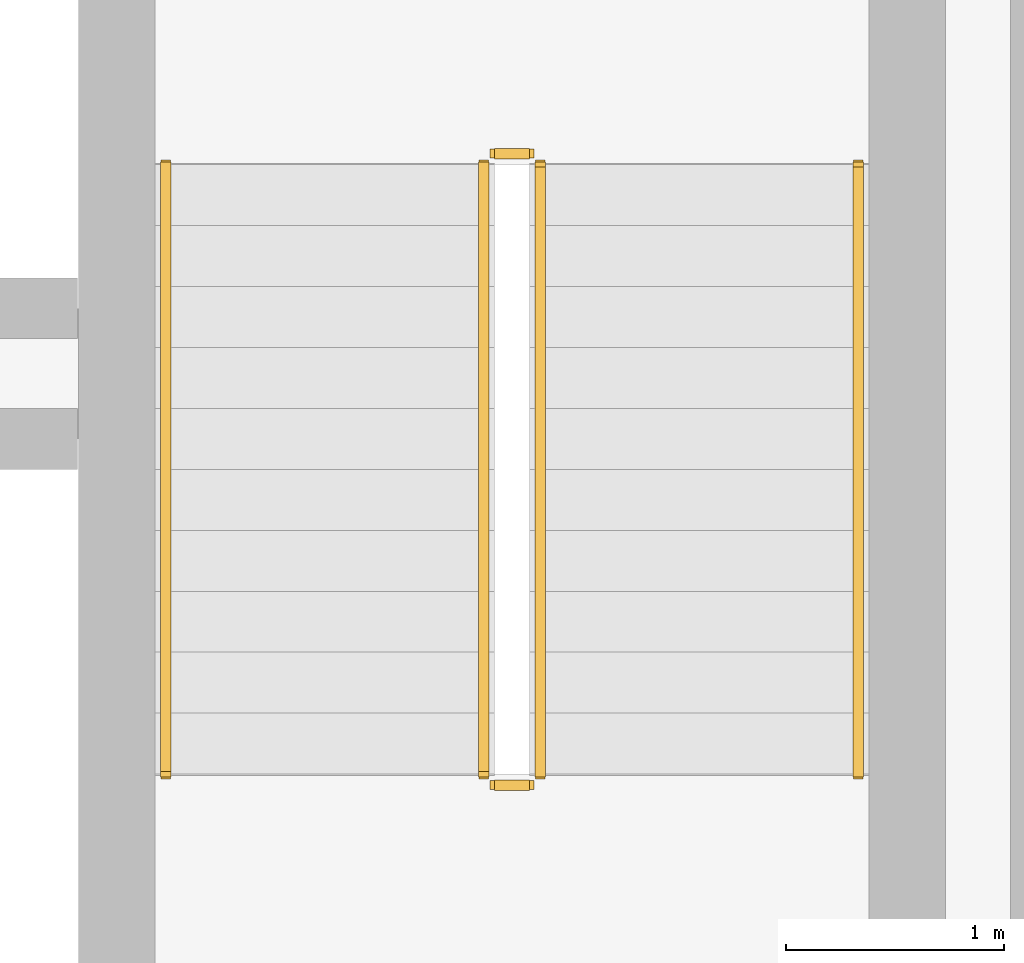
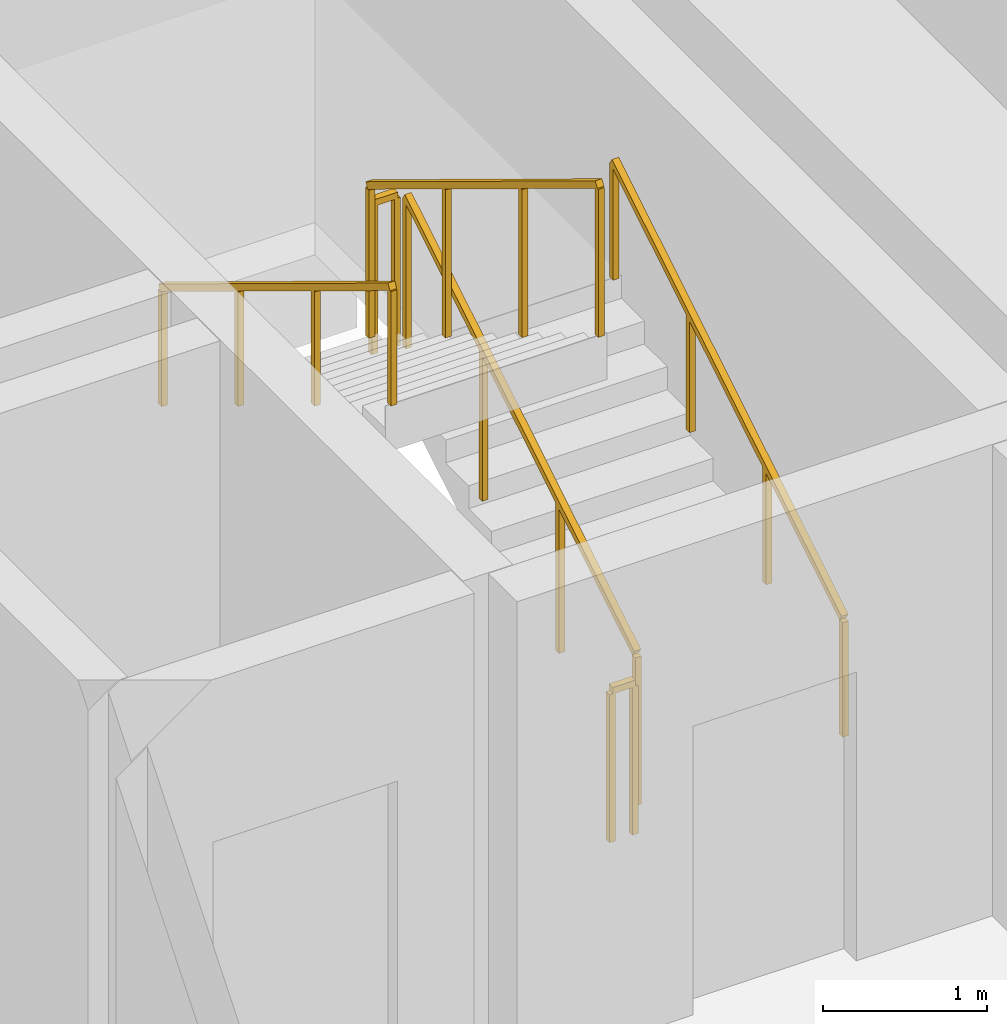
# One storey, part 15 of 15: 6 railings.
"""IFC4 building model written with IfcOpenShell, lengths in metres."""

from ifc_helpers import new_model, si_unit, direction, frame, origin, origin_2d, place, context, subcontext, project, spatial, rectangle, extrude, material, type_object, element, save


model = new_model("IFC4")

# Units and contexts
model_context = context("Model", 3, precision=1e-05, world=origin(), true_north=direction((0.0, 1.0)))
body_context = subcontext(model_context, "Body", "Model", "MODEL_VIEW")
ifc_project = project(units=[si_unit("LENGTHUNIT", "METRE"), si_unit("AREAUNIT", "SQUARE_METRE"), si_unit("VOLUMEUNIT", "CUBIC_METRE"), si_unit("PLANEANGLEUNIT", "RADIAN"), si_unit("MASSUNIT", "GRAM", prefix="KILO")], contexts=[model_context])

# Site, building, storey
site_placement = place(None, origin())
site = spatial("IfcSite", under=ifc_project, at=site_placement, CompositionType="ELEMENT")
building_placement = place(site_placement, origin())
building = spatial("IfcBuilding", under=site, at=building_placement, Name="Kaelvorn Grand Hotel", CompositionType="ELEMENT")
storey_placement = place(building_placement, frame((0.0, 0.0, 50.14990234375)))
storey = spatial("IfcBuildingStorey", under=building, at=storey_placement, Name="L10", CompositionType="ELEMENT", Elevation=50.14990234375)

# Railings
ifc_material = material(Name="Stainless Steel", Category="steel")
railing_type_1 = type_object("IfcRailingType", Name="RL-HANDRAIL-900", PredefinedType="HANDRAIL", material=ifc_material)
railing_1_placement = place(storey_placement, frame((66.550048828125, 41.760009765625, 0.170654296875)))
element("IfcRailing", 1, at=railing_1_placement, inside=storey, type_object=railing_type_1, Name="L10 ST3 stair handrail 1", PredefinedType="HANDRAIL", context=body_context, shape_type="SweptSolid", body=[
    extrude(rectangle(XDim=0.048095703125, YDim=0.048095703125, at=origin_2d()), frame((0.0, 0.0, 0.8759765625), z_axis=(0.0, 0.854202870247, 0.519939858505), x_axis=(-1.0, 0.0, 0.0)), (0.0, 0.0, 1.0), 3.278076171875),
    extrude(rectangle(XDim=0.0419921875, YDim=0.0419921875, at=origin_2d()), origin(), (0.0, 0.0, 1.0), 0.851806640625),
    extrude(rectangle(XDim=0.0419921875, YDim=0.0419921875, at=origin_2d()), frame((0.0, 0.933349609375, 0.568115234375)), (0.0, 0.0, 1.0), 0.851806640625),
    extrude(rectangle(XDim=0.0419921875, YDim=0.0419921875, at=origin_2d()), frame((0.0, 1.86669921875, 1.13623046875)), (0.0, 0.0, 1.0), 0.851806640625),
    extrude(rectangle(XDim=0.0419921875, YDim=0.0419921875, at=origin_2d()), frame((0.0, 2.800048828125, 1.704345703125)), (0.0, 0.0, 1.0), 0.851806640625),
])
railing_2_placement = place(storey_placement, frame((63.3701171875, 44.56005859375, 2.045654296875)))
element("IfcRailing", 2, at=railing_2_placement, inside=storey, type_object=railing_type_1, Name="L10 ST3 stair handrail 2", PredefinedType="HANDRAIL", context=body_context, shape_type="SweptSolid", body=[
    extrude(rectangle(XDim=0.048095703125, YDim=0.048095703125, at=origin_2d()), frame((0.0, 0.0, 0.8759765625), z_axis=(0.0, -0.854202870247, 0.519939858505), x_axis=(1.0, 0.0, 0.0)), (0.0, 0.0, 1.0), 3.278076171875),
    extrude(rectangle(XDim=0.0419921875, YDim=0.0419921875, at=origin_2d()), origin(), (0.0, 0.0, 1.0), 0.851806640625),
    extrude(rectangle(XDim=0.0419921875, YDim=0.0419921875, at=origin_2d()), frame((0.0, -0.933349609375, 0.568115234375)), (0.0, 0.0, 1.0), 0.851806640625),
    extrude(rectangle(XDim=0.0419921875, YDim=0.0419921875, at=origin_2d()), frame((0.0, -1.86669921875, 1.13623046875)), (0.0, 0.0, 1.0), 0.851806640625),
    extrude(rectangle(XDim=0.0419921875, YDim=0.0419921875, at=origin_2d()), frame((0.0, -2.800048828125, 1.704345703125)), (0.0, 0.0, 1.0), 0.851806640625),
])
railing_type_2 = type_object("IfcRailingType", Name="RL-STAIR-GUARD-1150", PredefinedType="BALUSTRADE", material=ifc_material)
railing_3_placement = place(storey_placement, frame((65.090087890625, 41.760009765625, 0.170654296875)))
element("IfcRailing", 3, at=railing_3_placement, inside=storey, type_object=railing_type_2, Name="L10 ST3 stair guard 1", PredefinedType="BALUSTRADE", context=body_context, shape_type="SweptSolid", body=[
    extrude(rectangle(XDim=0.048095703125, YDim=0.048095703125, at=origin_2d()), frame((0.0, 0.0, 1.1259765625), z_axis=(0.0, 0.854202870247, 0.519939858505), x_axis=(-1.0, 0.0, 0.0)), (0.0, 0.0, 1.0), 3.278076171875),
    extrude(rectangle(XDim=0.0419921875, YDim=0.0419921875, at=origin_2d()), origin(), (0.0, 0.0, 1.0), 1.101806640625),
    extrude(rectangle(XDim=0.0419921875, YDim=0.0419921875, at=origin_2d()), frame((0.0, 0.933349609375, 0.568115234375)), (0.0, 0.0, 1.0), 1.101806640625),
    extrude(rectangle(XDim=0.0419921875, YDim=0.0419921875, at=origin_2d()), frame((0.0, 1.86669921875, 1.13623046875)), (0.0, 0.0, 1.0), 1.101806640625),
    extrude(rectangle(XDim=0.0419921875, YDim=0.0419921875, at=origin_2d()), frame((0.0, 2.800048828125, 1.704345703125)), (0.0, 0.0, 1.0), 1.101806640625),
])
railing_4_placement = place(storey_placement, frame((65.0400390625, 44.610107421875, 1.875)))
element("IfcRailing", 4, at=railing_4_placement, inside=storey, type_object=railing_type_2, Name="L10 ST3 stair guard 2", PredefinedType="BALUSTRADE", context=body_context, shape_type="SweptSolid", body=[
    extrude(rectangle(XDim=0.048095703125, YDim=0.048095703125, at=origin_2d()), frame((0.0, 0.0, 1.1259765625), z_axis=(-1.0, 0.0, 0.0), x_axis=(0.0, -1.0, 0.0)), (0.0, 0.0, 1.0), 0.16015625),
    extrude(rectangle(XDim=0.0419921875, YDim=0.0419921875, at=origin_2d()), origin(), (0.0, 0.0, 1.0), 1.101806640625),
    extrude(rectangle(XDim=0.0419921875, YDim=0.0419921875, at=origin_2d()), frame((-0.16015625, 0.0, 0.0)), (0.0, 0.0, 1.0), 1.101806640625),
])
railing_5_placement = place(storey_placement, frame((64.830078125, 44.56005859375, 2.045654296875)))
element("IfcRailing", 5, at=railing_5_placement, inside=storey, type_object=railing_type_2, Name="L10 ST3 stair guard 3", PredefinedType="BALUSTRADE", context=body_context, shape_type="SweptSolid", body=[
    extrude(rectangle(XDim=0.048095703125, YDim=0.048095703125, at=origin_2d()), frame((0.0, 0.0, 1.1259765625), z_axis=(0.0, -0.854202870247, 0.519939858505), x_axis=(1.0, 0.0, 0.0)), (0.0, 0.0, 1.0), 3.278076171875),
    extrude(rectangle(XDim=0.0419921875, YDim=0.0419921875, at=origin_2d()), origin(), (0.0, 0.0, 1.0), 1.101806640625),
    extrude(rectangle(XDim=0.0419921875, YDim=0.0419921875, at=origin_2d()), frame((0.0, -0.933349609375, 0.568115234375)), (0.0, 0.0, 1.0), 1.101806640625),
    extrude(rectangle(XDim=0.0419921875, YDim=0.0419921875, at=origin_2d()), frame((0.0, -1.86669921875, 1.13623046875)), (0.0, 0.0, 1.0), 1.101806640625),
    extrude(rectangle(XDim=0.0419921875, YDim=0.0419921875, at=origin_2d()), frame((0.0, -2.800048828125, 1.704345703125)), (0.0, 0.0, 1.0), 1.101806640625),
])
railing_6_placement = place(storey_placement, frame((65.0400390625, 41.7099609375, 0.0)))
element("IfcRailing", 6, at=railing_6_placement, inside=storey, type_object=railing_type_2, Name="L10 ST3 stair guard 4", PredefinedType="BALUSTRADE", context=body_context, shape_type="SweptSolid", body=[
    extrude(rectangle(XDim=0.048095703125, YDim=0.048095703125, at=origin_2d()), frame((0.0, 0.0, 1.1259765625), z_axis=(-1.0, 0.0, 0.0), x_axis=(0.0, -1.0, 0.0)), (0.0, 0.0, 1.0), 0.16015625),
    extrude(rectangle(XDim=0.0419921875, YDim=0.0419921875, at=origin_2d()), origin(), (0.0, 0.0, 1.0), 1.101806640625),
    extrude(rectangle(XDim=0.0419921875, YDim=0.0419921875, at=origin_2d()), frame((-0.16015625, 0.0, 0.0)), (0.0, 0.0, 1.0), 1.101806640625),
])

save(model, "model.ifc")
